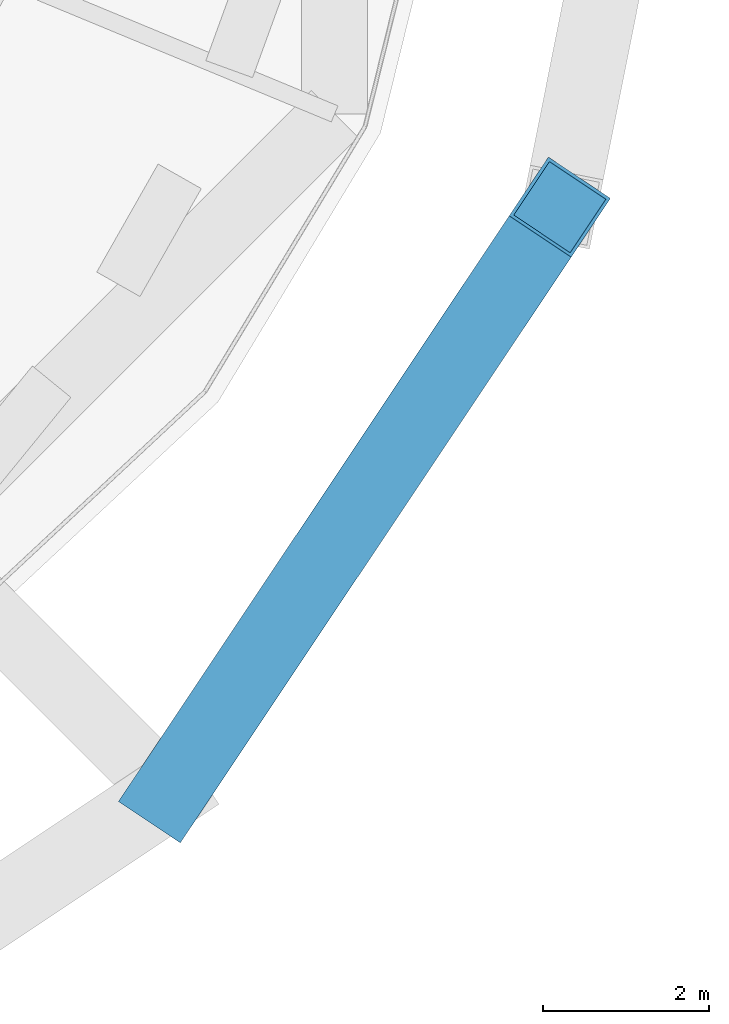
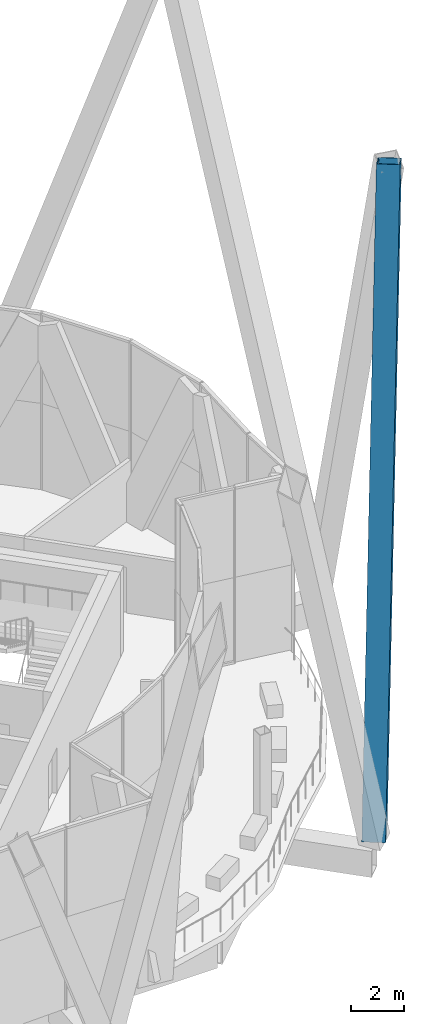
# One storey, part 19 of 38: 1 member.
"""IFC4 building model written with IfcOpenShell, lengths in metres."""

from ifc_helpers import new_model, si_unit, direction, frame, origin, origin_2d, place, context, subcontext, project, spatial, hollow_rectangle, extrude, material, material_profile, profile_set, type_object, element, save


model = new_model("IFC4")

# Units and contexts
model_context = context("Model", 3, precision=1e-05, world=origin(), true_north=direction((0.0, 1.0)))
body_context = subcontext(model_context, "Body", "Model", "MODEL_VIEW")
ifc_project = project(units=[si_unit("LENGTHUNIT", "METRE"), si_unit("AREAUNIT", "SQUARE_METRE"), si_unit("VOLUMEUNIT", "CUBIC_METRE"), si_unit("PLANEANGLEUNIT", "RADIAN"), si_unit("MASSUNIT", "GRAM", prefix="KILO")], contexts=[model_context])

# Site, building, storey
site_placement = place(None, origin())
site = spatial("IfcSite", under=ifc_project, at=site_placement, CompositionType="ELEMENT")
building_placement = place(site_placement, origin())
building = spatial("IfcBuilding", under=site, at=building_placement, Name="Ogive Gate Towers", CompositionType="ELEMENT")
storey_placement = place(building_placement, frame((0.0, 0.0, 268.800048828125)))
storey = spatial("IfcBuildingStorey", under=building, at=storey_placement, Name="L63", CompositionType="ELEMENT", Elevation=268.800048828125)

# Member
ifc_material = material(Name="Steel SM460", Category="steel")
ifc_material_profile = material_profile(ifc_material, hollow_rectangle(XDim=0.89990234375, YDim=0.89990234375, WallThickness=0.0400390625, at=origin_2d()), Name="BX 900x900x40")
ifc_profile_set = profile_set([ifc_material_profile], Name="Steel SM460")
member_type = type_object("IfcMemberType", Name="Diagrid diagonal BX 900x900x40", PredefinedType="BRACE", material=ifc_profile_set)
member_placement = place(storey_placement, frame((51.422119140625, -15.422119140625, 0.0), z_axis=(0.177577062234, 0.266099402159, 0.947447885184), x_axis=(-0.831794180755, 0.555084174574, 0.0)))
element("IfcMember", 1, at=member_placement, inside=storey, type_object=member_type, Name="T2/L63/SDG016", PredefinedType="BRACE", context=body_context, shape_type="SweptSolid", body=[
    extrude(hollow_rectangle(XDim=0.89990234375, YDim=0.89990234375, WallThickness=0.0400390625, at=origin_2d()), origin(), (0.0, 0.0, 1.0), 26.59765625),
])

save(model, "model.ifc")
